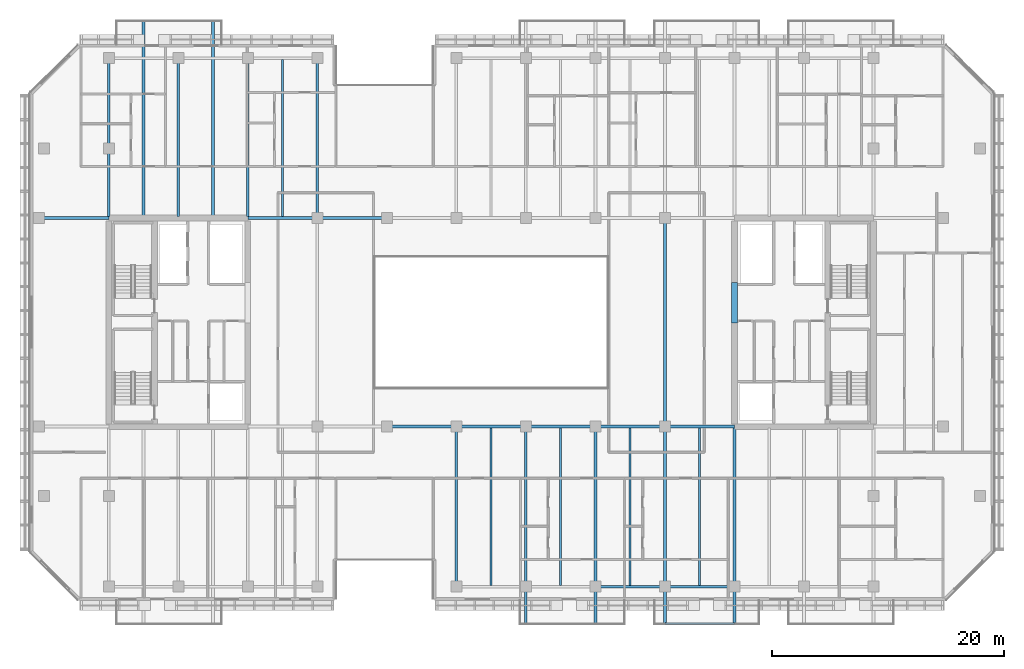
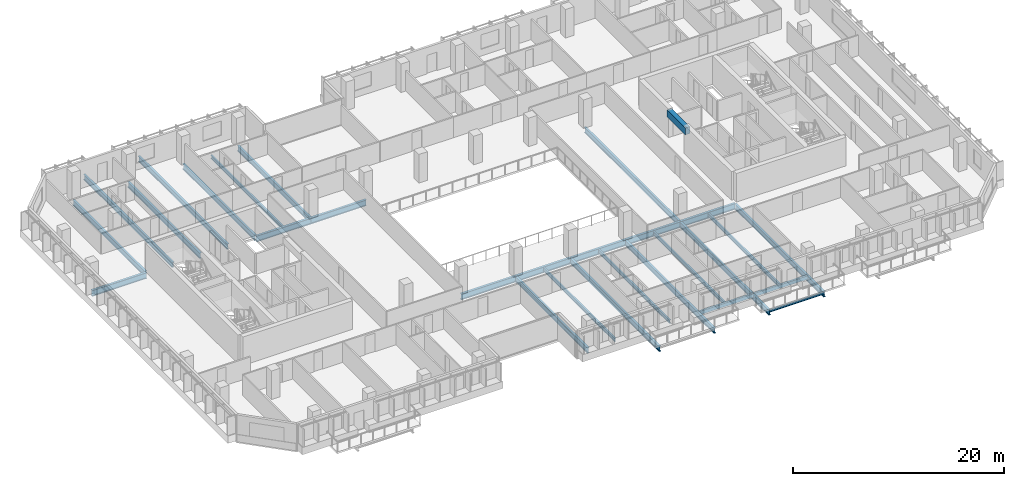
# One storey, part 5 of 23: 29 beams.
"""IFC4 building model written with IfcOpenShell, lengths in metres."""

from ifc_helpers import new_model, si_unit, direction, frame, origin, origin_2d, place, context, subcontext, project, spatial, rectangle, hollow_rectangle, i_section, extrude, material, material_profile, profile_set, type_object, element, save


model = new_model("IFC4")

# Units and contexts
model_context = context("Model", 3, precision=1e-05, world=origin(), true_north=direction((0.0, 1.0)))
body_context = subcontext(model_context, "Body", "Model", "MODEL_VIEW")
ifc_project = project(units=[si_unit("LENGTHUNIT", "METRE"), si_unit("AREAUNIT", "SQUARE_METRE"), si_unit("VOLUMEUNIT", "CUBIC_METRE"), si_unit("PLANEANGLEUNIT", "RADIAN"), si_unit("MASSUNIT", "GRAM", prefix="KILO")], contexts=[model_context])

# Site, building, storey
site_placement = place(None, origin())
site = spatial("IfcSite", under=ifc_project, at=site_placement, CompositionType="ELEMENT")
building_placement = place(site_placement, origin())
building = spatial("IfcBuilding", under=site, at=building_placement, Name="Tanjung Sevakor Pilgrim Tower", CompositionType="ELEMENT")
storey_placement = place(building_placement, frame((0.0, 0.0, 105.27001953125)))
storey = spatial("IfcBuildingStorey", under=building, at=storey_placement, Name="L29", CompositionType="ELEMENT", Elevation=105.27001953125)

# Beams
ifc_material_1 = material(Name="Steel S355J2", Category="steel")
ifc_material_profile_1 = material_profile(ifc_material_1, i_section(OverallWidth=0.25439453125, OverallDepth=0.6875, WebThickness=0.01318359375, FlangeThickness=0.02099609375, FilletRadius=0.01513671875, at=origin_2d()))
ifc_profile_set_1 = profile_set([ifc_material_profile_1], Name="Steel S355J2")
beam_type_1 = type_object("IfcBeamType", Name="BM-B-G2-UB_686x254x152", PredefinedType="BEAM", material=ifc_profile_set_1)
for number, where, z_axis, x_axis, name in (
    (1, (48.0, 24.60009765625, -0.563720703125), (1.0, 0.0, 0.0), (0.0, 1.0, 0.0), "L29 Primary Floor Girder MAIN Y246-04"),
    (2, (54.0, 24.60009765625, -0.563720703125), (1.0, 0.0, 0.0), (0.0, 1.0, 0.0), "L29 Primary Floor Girder MAIN Y246-05"),
    (3, (60.0, 24.60009765625, -0.563720703125), (1.0, 0.0, 0.0), (0.0, 1.0, 0.0), "L29 Primary Floor Girder MAIN Y246-06"),
    (4, (66.0, 24.60009765625, -0.563720703125), (1.0, 0.0, 0.0), (0.0, 1.0, 0.0), "L29 Primary Floor Girder MAIN Y246-07"),
    (5, (72.0, 24.60009765625, -0.563720703125), (1.0, 0.0, 0.0), (0.0, 1.0, 0.0), "L29 Primary Floor Girder MAIN Y246-08"),
    (6, (18.0, 42.60009765625, -0.563720703125), (1.0, 0.0, 0.0), (0.0, 1.0, 0.0), "L29 Primary Floor Girder MAIN Y426-01"),
    (7, (36.0, 42.60009765625, -0.563720703125), (1.0, 0.0, 0.0), (0.0, 1.0, 0.0), "L29 Primary Floor Girder MAIN Y426-02"),
    (8, (42.0, 42.60009765625, -0.563720703125), (1.0, 0.0, 0.0), (0.0, 1.0, 0.0), "L29 Primary Floor Girder MAIN Y426-03"),
):
    element("IfcBeam", number, at=place(storey_placement, frame(where, z_axis=z_axis, x_axis=x_axis)), inside=storey, type_object=beam_type_1, Name=name, PredefinedType="BEAM", context=body_context, shape_type="SweptSolid", body=[
        extrude(i_section(OverallWidth=0.25439453125, OverallDepth=0.6875, WebThickness=0.01318359375, FlangeThickness=0.02099609375, FilletRadius=0.01513671875, at=origin_2d()), origin(), (0.0, 0.0, 1.0), 6.0),
    ])
ifc_material_2 = material(Name="Steel S355J2", Category="steel")
ifc_material_profile_2 = material_profile(ifc_material_2, i_section(OverallWidth=0.230224609375, OverallDepth=0.6171875, WebThickness=0.01318359375, FlangeThickness=0.022216796875, FilletRadius=0.0126953125, at=origin_2d()))
ifc_profile_set_2 = profile_set([ifc_material_profile_2], Name="Steel S355J2")
beam_type_2 = type_object("IfcBeamType", Name="BM-B-G3-UB_610x229x140", PredefinedType="BEAM", material=ifc_profile_set_2)
for number, where, z_axis, x_axis, name in (
    (9, (24.0, 42.727294921875, -0.528564453125), (0.0, 1.0, 0.0), (-1.0, 0.0, 0.0), "L29 MAIN Girder 002"),
    (10, (30.0, 42.727294921875, -0.528564453125), (0.0, 1.0, 0.0), (-1.0, 0.0, 0.0), "L29 MAIN Girder 004"),
    (11, (36.0, 42.727294921875, -0.528564453125), (0.0, 1.0, 0.0), (-1.0, 0.0, 0.0), "L29 MAIN Girder 006"),
):
    element("IfcBeam", number, at=place(storey_placement, frame(where, z_axis=z_axis, x_axis=x_axis)), inside=storey, type_object=beam_type_2, Name=name, PredefinedType="BEAM", context=body_context, shape_type="SweptSolid", body=[
        extrude(i_section(OverallWidth=0.230224609375, OverallDepth=0.6171875, WebThickness=0.01318359375, FlangeThickness=0.022216796875, FilletRadius=0.0126953125, at=origin_2d()), origin(), (0.0, 0.0, 1.0), 13.672607421875),
    ])
beam_1_placement = place(storey_placement, frame((42.0, 42.60009765625, -0.528564453125), z_axis=(0.0, 1.0, 0.0), x_axis=(-1.0, 0.0, 0.0)))
element("IfcBeam", 12, at=beam_1_placement, inside=storey, type_object=beam_type_2, Name="L29 MAIN Girder 011", PredefinedType="BEAM", context=body_context, shape_type="SweptSolid", body=[
    extrude(i_section(OverallWidth=0.230224609375, OverallDepth=0.6171875, WebThickness=0.01318359375, FlangeThickness=0.022216796875, FilletRadius=0.0126953125, at=origin_2d()), origin(), (0.0, 0.0, 1.0), 13.7998046875),
])
beam_2_placement = place(storey_placement, frame((54.0, 10.800048828125, -0.528564453125), z_axis=(0.0, 1.0, 0.0), x_axis=(-1.0, 0.0, 0.0)))
element("IfcBeam", 13, at=beam_2_placement, inside=storey, type_object=beam_type_2, Name="L29 MAIN Girder 012", PredefinedType="BEAM", context=body_context, shape_type="SweptSolid", body=[
    extrude(i_section(OverallWidth=0.230224609375, OverallDepth=0.6171875, WebThickness=0.01318359375, FlangeThickness=0.022216796875, FilletRadius=0.0126953125, at=origin_2d()), origin(), (0.0, 0.0, 1.0), 13.800048828125),
])
for number, where, z_axis, x_axis, name in (
    (14, (60.0, 24.60009765625, -0.528564453125), (0.0, -1.0, 0.0), (1.0, 0.0, 0.0), "L29 Balcony Cantilever Beam MAIN-S2-1"),
    (15, (66.0, 24.60009765625, -0.528564453125), (0.0, -1.0, 0.0), (1.0, 0.0, 0.0), "L29 Balcony Cantilever Beam MAIN-S2-2"),
    (16, (72.0, 24.60009765625, -0.528564453125), (0.0, -1.0, 0.0), (1.0, 0.0, 0.0), "L29 Balcony Cantilever Beam MAIN-S3-1"),
):
    element("IfcBeam", number, at=place(storey_placement, frame(where, z_axis=z_axis, x_axis=x_axis)), inside=storey, type_object=beam_type_2, Name=name, PredefinedType="BEAM", context=body_context, shape_type="SweptSolid", body=[
        extrude(i_section(OverallWidth=0.230224609375, OverallDepth=0.6171875, WebThickness=0.01318359375, FlangeThickness=0.022216796875, FilletRadius=0.0126953125, at=origin_2d()), origin(), (0.0, 0.0, 1.0), 16.97998046875),
    ])
beam_3_placement = place(storey_placement, frame((72.0, 24.60009765625, -0.528564453125), z_axis=(0.0, 1.0, 0.0), x_axis=(-1.0, 0.0, 0.0)))
element("IfcBeam", 17, at=beam_3_placement, inside=storey, type_object=beam_type_2, Name="L29 MAIN Girder 020", PredefinedType="BEAM", context=body_context, shape_type="SweptSolid", body=[
    extrude(i_section(OverallWidth=0.230224609375, OverallDepth=0.6171875, WebThickness=0.01318359375, FlangeThickness=0.022216796875, FilletRadius=0.0126953125, at=origin_2d()), origin(), (0.0, 0.0, 1.0), 18.0),
])
beam_4_placement = place(storey_placement, frame((78.0, 24.47265625, -0.528564453125), z_axis=(0.0, -1.0, 0.0), x_axis=(1.0, 0.0, 0.0)))
element("IfcBeam", 18, at=beam_4_placement, inside=storey, type_object=beam_type_2, Name="L29 Balcony Cantilever Beam MAIN-S3-2", PredefinedType="BEAM", context=body_context, shape_type="SweptSolid", body=[
    extrude(i_section(OverallWidth=0.230224609375, OverallDepth=0.6171875, WebThickness=0.01318359375, FlangeThickness=0.022216796875, FilletRadius=0.0126953125, at=origin_2d()), origin(), (0.0, 0.0, 1.0), 16.8525390625),
])
ifc_material_3 = material(Name="Steel S355J2", Category="steel")
ifc_material_profile_3 = material_profile(ifc_material_3, i_section(OverallWidth=0.22900390625, OverallDepth=0.6123046875, WebThickness=0.011962890625, FlangeThickness=0.01953125, FilletRadius=0.0126953125, at=origin_2d()))
ifc_profile_set_3 = profile_set([ifc_material_profile_3], Name="Steel S355J2")
beam_type_3 = type_object("IfcBeamType", Name="BM-B-G4-UB_610x229x125", PredefinedType="BEAM", material=ifc_profile_set_3)
for number, where, z_axis, x_axis, name in (
    (19, (27.0, 42.727294921875, -0.526123046875), (0.0, 1.0, 0.0), (-1.0, 0.0, 0.0), "L29 Balcony Cantilever Beam MAIN-N1-1"),
    (20, (33.0, 42.727294921875, -0.526123046875), (0.0, 1.0, 0.0), (-1.0, 0.0, 0.0), "L29 Balcony Cantilever Beam MAIN-N1-2"),
):
    element("IfcBeam", number, at=place(storey_placement, frame(where, z_axis=z_axis, x_axis=x_axis)), inside=storey, type_object=beam_type_3, Name=name, PredefinedType="BEAM", context=body_context, shape_type="SweptSolid", body=[
        extrude(i_section(OverallWidth=0.22900390625, OverallDepth=0.6123046875, WebThickness=0.011962890625, FlangeThickness=0.01953125, FilletRadius=0.0126953125, at=origin_2d()), origin(), (0.0, 0.0, 1.0), 16.852783203125),
    ])
ifc_material_4 = material(Name="Steel S355J2", Category="steel")
ifc_material_profile_4 = material_profile(ifc_material_4, i_section(OverallWidth=0.1787109375, OverallDepth=0.409423828125, WebThickness=0.0087890625, FlangeThickness=0.014404296875, FilletRadius=0.01025390625, at=origin_2d()))
ifc_profile_set_4 = profile_set([ifc_material_profile_4], Name="Steel S355J2")
beam_type_4 = type_object("IfcBeamType", Name="BM-B-J3-UB_406x178x67", PredefinedType="JOIST", material=ifc_profile_set_4)
for number, where, z_axis, x_axis, name in (
    (21, (39.0, 42.727294921875, -0.4248046875), (0.0, 1.0, 0.0), (-1.0, 0.0, 0.0), "L29 MAIN Joist 008"),
    (22, (57.0, 10.89990234375, -0.4248046875), (0.0, 1.0, 0.0), (-1.0, 0.0, 0.0), "L29 MAIN Joist 014"),
    (23, (63.0, 10.89990234375, -0.4248046875), (0.0, 1.0, 0.0), (-1.0, 0.0, 0.0), "L29 MAIN Joist 016"),
    (24, (69.0, 10.89990234375, -0.4248046875), (0.0, 1.0, 0.0), (-1.0, 0.0, 0.0), "L29 MAIN Joist 018"),
    (25, (75.0, 10.89990234375, -0.4248046875), (0.0, 1.0, 0.0), (-1.0, 0.0, 0.0), "L29 MAIN Joist 021"),
):
    element("IfcBeam", number, at=place(storey_placement, frame(where, z_axis=z_axis, x_axis=x_axis)), inside=storey, type_object=beam_type_4, Name=name, PredefinedType="JOIST", context=body_context, shape_type="SweptSolid", body=[
        extrude(i_section(OverallWidth=0.1787109375, OverallDepth=0.409423828125, WebThickness=0.0087890625, FlangeThickness=0.014404296875, FilletRadius=0.01025390625, at=origin_2d()), origin(), (0.0, 0.0, 1.0), 13.57275390625),
    ])
ifc_material_5 = material(Name="Steel S355J2", Category="steel")
ifc_material_profile_5 = material_profile(ifc_material_5, i_section(OverallWidth=0.146484375, OverallDepth=0.256103515625, WebThickness=0.00634765625, FlangeThickness=0.010986328125, FilletRadius=0.007568359375, at=origin_2d()))
ifc_profile_set_5 = profile_set([ifc_material_profile_5], Name="Steel S355J2")
beam_type_5 = type_object("IfcBeamType", Name="BM-B-J6-UB_254x146x37", PredefinedType="JOIST", material=ifc_profile_set_5)
beam_5_placement = place(storey_placement, frame((72.0, 7.6201171875, -0.328125), z_axis=(1.0, 0.0, 0.0), x_axis=(0.0, 1.0, 0.0)))
element("IfcBeam", 26, at=beam_5_placement, inside=storey, type_object=beam_type_5, Name="L29 Balcony Rim Tie MAIN-S3", PredefinedType="JOIST", context=body_context, shape_type="SweptSolid", body=[
    extrude(i_section(OverallWidth=0.146484375, OverallDepth=0.256103515625, WebThickness=0.00634765625, FlangeThickness=0.010986328125, FilletRadius=0.007568359375, at=origin_2d()), origin(), (0.0, 0.0, 1.0), 6.0),
])
ifc_material_6 = material(Name="Concrete C60/75", Category="concrete")
ifc_material_profile_6 = material_profile(ifc_material_6, rectangle(XDim=0.5, YDim=0.800048828125, at=origin_2d()))
ifc_profile_set_6 = profile_set([ifc_material_profile_6], Name="Concrete C60/75")
beam_type_6 = type_object("IfcBeamType", Name="BM-B-LN2-RC-BM_500x800", PredefinedType="LINTEL", material=ifc_profile_set_6)
beam_6_placement = place(storey_placement, frame((78.0, 33.550048828125, 2.679931640625), z_axis=(0.0, 1.0, 0.0), x_axis=(-1.0, 0.0, 0.0)))
element("IfcBeam", 27, at=beam_6_placement, inside=storey, type_object=beam_type_6, Name="L29 E Core Coupling Lintel", PredefinedType="LINTEL", context=body_context, shape_type="SweptSolid", body=[
    extrude(rectangle(XDim=0.5, YDim=0.800048828125, at=origin_2d()), origin(), (0.0, 0.0, 1.0), 3.5),
])
ifc_material_7 = material(Name="Steel S355J2", Category="steel")
ifc_material_profile_7 = material_profile(ifc_material_7, hollow_rectangle(XDim=0.199951171875, YDim=0.39990234375, WallThickness=0.01611328125, at=origin_2d()))
ifc_profile_set_7 = profile_set([ifc_material_profile_7], Name="Steel S355J2")
beam_type_7 = type_object("IfcBeamType", Name="BM-B-SP2-RHS_400x200x16", PredefinedType="SPANDREL", material=ifc_profile_set_7)
for number, where, z_axis, x_axis, name in (
    (28, (66.0, 10.800048828125, -0.419921875), (1.0, 0.0, 0.0), (0.0, 1.0, 0.0), "L29 Spandrel MAIN S-11"),
    (29, (72.0, 10.800048828125, -0.419921875), (1.0, 0.0, 0.0), (0.0, 1.0, 0.0), "L29 Spandrel MAIN S-13"),
):
    element("IfcBeam", number, at=place(storey_placement, frame(where, z_axis=z_axis, x_axis=x_axis)), inside=storey, type_object=beam_type_7, Name=name, PredefinedType="SPANDREL", context=body_context, shape_type="SweptSolid", body=[
        extrude(hollow_rectangle(XDim=0.199951171875, YDim=0.39990234375, WallThickness=0.01611328125, at=origin_2d()), origin(), (0.0, 0.0, 1.0), 6.0),
    ])

save(model, "model.ifc")
